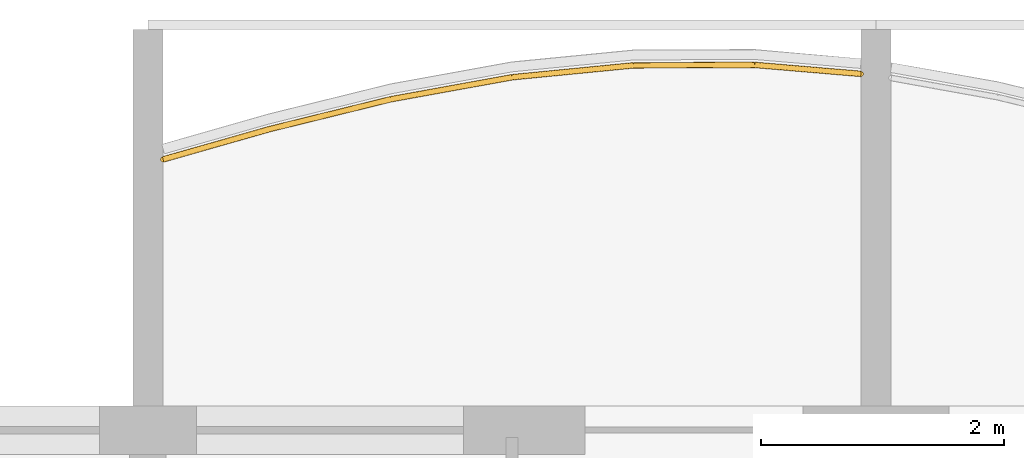
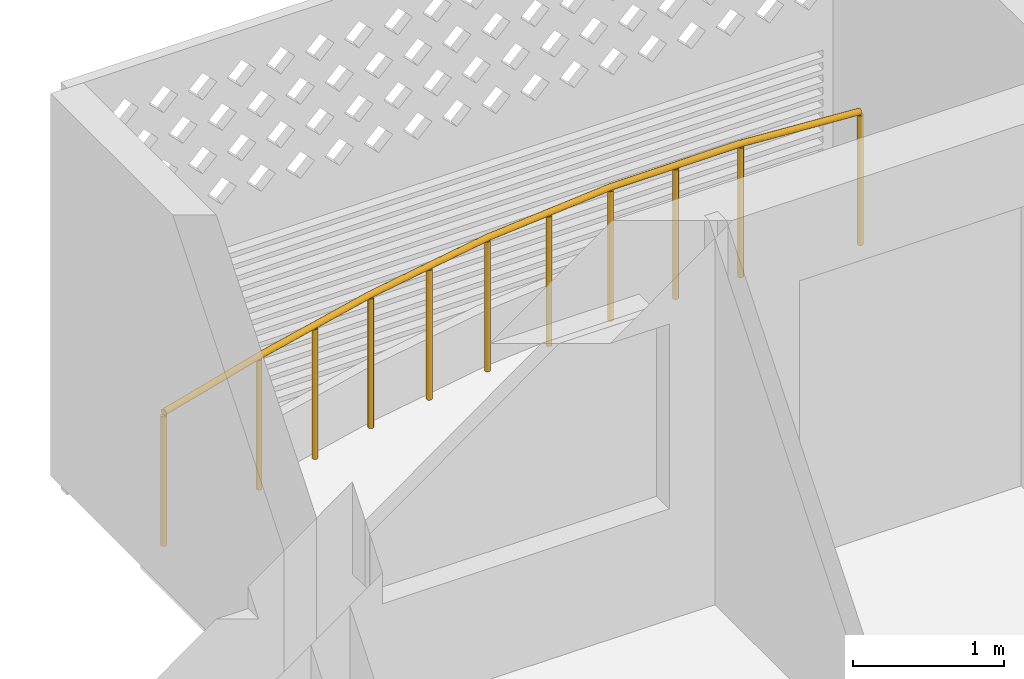
# One storey, part 22 of 31: 1 railing.
"""IFC4 building model written with IfcOpenShell, lengths in metres."""

from ifc_helpers import new_model, si_unit, direction, frame, origin, origin_2d, place, context, subcontext, project, spatial, circle, extrude, material, type_object, element, save


model = new_model("IFC4")

# Units and contexts
model_context = context("Model", 3, precision=1e-05, world=origin(), true_north=direction((0.0, 1.0)))
body_context = subcontext(model_context, "Body", "Model", "MODEL_VIEW")
ifc_project = project(units=[si_unit("LENGTHUNIT", "METRE"), si_unit("AREAUNIT", "SQUARE_METRE"), si_unit("VOLUMEUNIT", "CUBIC_METRE"), si_unit("PLANEANGLEUNIT", "RADIAN"), si_unit("MASSUNIT", "GRAM", prefix="KILO")], contexts=[model_context])

# Site, building, storey
site_placement = place(None, origin())
site = spatial("IfcSite", under=ifc_project, at=site_placement, CompositionType="ELEMENT")
building_placement = place(site_placement, origin())
building = spatial("IfcBuilding", under=site, at=building_placement, Name="Poui Terraces", CompositionType="ELEMENT")
storey_placement = place(building_placement, frame((0.0, 0.0, 148.800048828125)))
storey = spatial("IfcBuildingStorey", under=building, at=storey_placement, Name="L41", CompositionType="ELEMENT", Elevation=148.800048828125)

# Railing
ifc_material = material(Name="Painted steel fretwork", Category="steel")
railing_type = type_object("IfcRailingType", Name="BALCONY GUARD 1100", PredefinedType="GUARDRAIL", material=ifc_material)
railing_placement = place(storey_placement, frame((48.125, 44.631103515625, 0.0)))
element("IfcRailing", 1, at=railing_placement, inside=storey, type_object=railing_type, Name="BALCONY GUARD", PredefinedType="GUARDRAIL", context=body_context, shape_type="SweptSolid", body=[
    extrude(circle(Radius=0.02392578125, at=origin_2d()), frame((0.0, 0.0, 1.076171875), z_axis=(0.961736307653, 0.273976777376, 0.0), x_axis=(-0.273976777376, 0.961736307653, 0.0)), (0.0, 0.0, 1.0), 0.909912109375),
    extrude(circle(Radius=0.02392578125, at=origin_2d()), frame((0.875, 0.249267578125, 1.076171875), z_axis=(0.970973389115, 0.239187536528, 0.0), x_axis=(-0.239187536528, 0.970973389115, 0.0)), (0.0, 0.0, 1.0), 1.02978515625),
    extrude(circle(Radius=0.02392578125, at=origin_2d()), frame((1.875, 0.49560546875, 1.076171875), z_axis=(0.983942855126, 0.178483774746, 0.0), x_axis=(-0.178483774746, 0.983942855126, 0.0)), (0.0, 0.0, 1.0), 1.016357421875),
    extrude(circle(Radius=0.02392578125, at=origin_2d()), frame((2.875, 0.677001953125, 1.076171875), z_axis=(0.995241932297, 0.097434573938, 0.0), x_axis=(-0.097434573938, 0.995241932297, 0.0)), (0.0, 0.0, 1.0), 1.0048828125),
    extrude(circle(Radius=0.02392578125, at=origin_2d()), frame((3.875, 0.77490234375, 1.076171875), z_axis=(0.999992370693, 0.003906220198, 0.0), x_axis=(-0.003906220198, 0.999992370693, 0.0)), (0.0, 0.0, 1.0), 1.0),
    extrude(circle(Radius=0.02392578125, at=origin_2d()), frame((4.875, 0.77880859375, 1.076171875), z_axis=(0.996445334102, -0.08424189069, 0.0), x_axis=(0.08424189069, 0.996445334102, 0.0)), (0.0, 0.0, 1.0), 0.878173828125),
    extrude(circle(Radius=0.02099609375, at=origin_2d()), origin(), (0.0, 0.0, 1.0), 1.052001953125),
    extrude(circle(Radius=0.02099609375, at=origin_2d()), frame((0.875, 0.249267578125, 0.0)), (0.0, 0.0, 1.0), 1.052001953125),
    extrude(circle(Radius=0.02099609375, at=origin_2d()), frame((1.375, 0.37255859375, 0.0)), (0.0, 0.0, 1.0), 1.052001953125),
    extrude(circle(Radius=0.02099609375, at=origin_2d()), frame((1.875, 0.49560546875, 0.0)), (0.0, 0.0, 1.0), 1.052001953125),
    extrude(circle(Radius=0.02099609375, at=origin_2d()), frame((2.375, 0.58642578125, 0.0)), (0.0, 0.0, 1.0), 1.052001953125),
    extrude(circle(Radius=0.02099609375, at=origin_2d()), frame((2.875, 0.677001953125, 0.0)), (0.0, 0.0, 1.0), 1.052001953125),
    extrude(circle(Radius=0.02099609375, at=origin_2d()), frame((3.375, 0.72607421875, 0.0)), (0.0, 0.0, 1.0), 1.052001953125),
    extrude(circle(Radius=0.02099609375, at=origin_2d()), frame((3.875, 0.77490234375, 0.0)), (0.0, 0.0, 1.0), 1.052001953125),
    extrude(circle(Radius=0.02099609375, at=origin_2d()), frame((4.375, 0.77685546875, 0.0)), (0.0, 0.0, 1.0), 1.052001953125),
    extrude(circle(Radius=0.02099609375, at=origin_2d()), frame((4.875, 0.77880859375, 0.0)), (0.0, 0.0, 1.0), 1.052001953125),
    extrude(circle(Radius=0.02099609375, at=origin_2d()), frame((5.75, 0.704833984375, 0.0)), (0.0, 0.0, 1.0), 1.052001953125),
])

save(model, "model.ifc")
